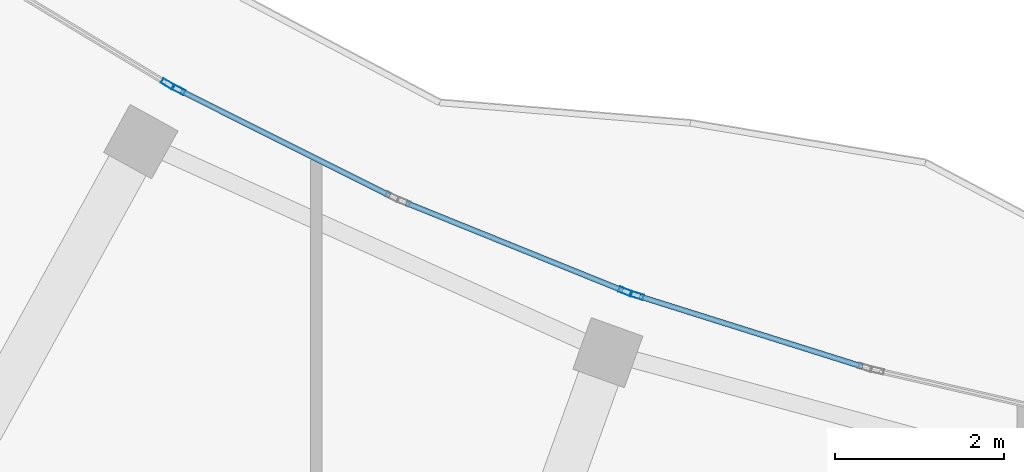
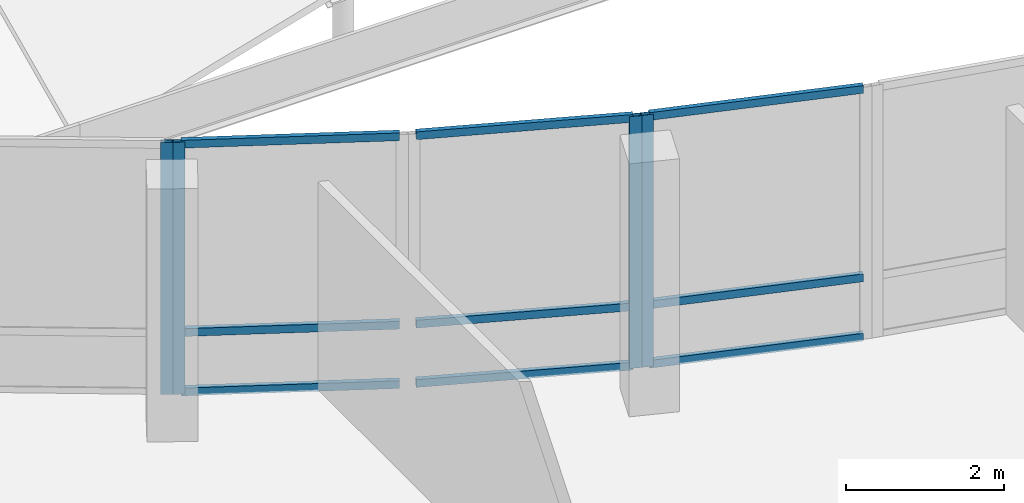
# One storey, part 28 of 184: 13 members, 4 elements without a shape of their own.
"""IFC4 building model written with IfcOpenShell, lengths in metres."""

from ifc_helpers import new_model, si_unit, direction, frame, origin, origin_2d, place, context, subcontext, project, spatial, hollow_rectangle, extrude, material, material_profile, profile_set, type_object, element, aggregate, save


model = new_model("IFC4")

# Units and contexts
model_context = context("Model", 3, precision=1e-05, world=origin(), true_north=direction((0.0, 1.0)))
body_context = subcontext(model_context, "Body", "Model", "MODEL_VIEW")
ifc_project = project(units=[si_unit("LENGTHUNIT", "METRE"), si_unit("AREAUNIT", "SQUARE_METRE"), si_unit("VOLUMEUNIT", "CUBIC_METRE"), si_unit("PLANEANGLEUNIT", "RADIAN"), si_unit("MASSUNIT", "GRAM", prefix="KILO")], contexts=[model_context])

# Site, building, storey
site_placement = place(None, origin())
site = spatial("IfcSite", under=ifc_project, at=site_placement, CompositionType="ELEMENT")
building_placement = place(site_placement, origin())
building = spatial("IfcBuilding", under=site, at=building_placement, Name="Selatvlak General Hospital", CompositionType="ELEMENT")
storey_placement = place(building_placement, frame((0.0, 0.0, 15.0)))
storey = spatial("IfcBuildingStorey", under=building, at=storey_placement, Name="L03", CompositionType="ELEMENT", Elevation=15.0)

# Curtain wall, member
ifc_material_1 = material(Name="Solar-control Low-E double glazing", Category="glass")
curtain_wall_type_1 = type_object("IfcCurtainWallType", Name="CW-CW-01", PredefinedType="USERDEFINED", material=ifc_material_1)
curtain_wall_1_placement = place(storey_placement, origin())
curtain_wall_1 = element("IfcCurtainWall", 1, at=curtain_wall_1_placement, inside=storey, type_object=curtain_wall_type_1, Name="Glazed facade curtain wall CW-L03-0443", ObjectType="UNITISED CURTAIN WALL", PredefinedType="USERDEFINED")
ifc_material_2 = material(Name="Dark anodised aluminium mullion", Category="aluminium")
ifc_material_profile_1 = material_profile(ifc_material_2, hollow_rectangle(XDim=0.06494140625, YDim=0.159912109375, WallThickness=0.00390625, at=origin_2d()), Name="AL-MUL 65x160x4")
ifc_profile_set_1 = profile_set([ifc_material_profile_1], Name="Dark anodised aluminium mullion")
member_type_1 = type_object("IfcMemberType", Name="CWM-01", PredefinedType="MULLION", material=ifc_profile_set_1)
member_1_placement = place(storey_placement, frame((37.840087890625, 46.69189453125, 0.0), z_axis=(0.0, 0.0, 1.0), x_axis=(0.517384094885, 0.85575329293, 0.0)))
member_1 = element("IfcMember", 2, at=member_1_placement, type_object=member_type_1, Name="CW-01 mullion 2", PredefinedType="MULLION", context=body_context, shape_type="SweptSolid", body=[
    extrude(hollow_rectangle(XDim=0.06494140625, YDim=0.159912109375, WallThickness=0.00390625, at=origin_2d()), origin(), (0.0, 0.0, 1.0), 3.89501953125),
])
aggregate(curtain_wall_1, [member_1])

curtain_wall_type_2 = type_object("IfcCurtainWallType", Name="CW-CW-02", PredefinedType="USERDEFINED", material=ifc_material_1)
curtain_wall_2_placement = place(storey_placement, origin())
curtain_wall_2 = element("IfcCurtainWall", 3, at=curtain_wall_2_placement, inside=storey, type_object=curtain_wall_type_2, Name="Glazed facade curtain wall CW-L03-0444", ObjectType="UNITISED CURTAIN WALL", PredefinedType="USERDEFINED")
member_2_placement = place(storey_placement, frame((37.968017578125, 46.62353515625, 0.0), z_axis=(0.0, 0.0, 1.0), x_axis=(0.447627060006, 0.894220339262, 0.0)))
member_2 = element("IfcMember", 4, at=member_2_placement, type_object=member_type_1, Name="CW-02 mullion 1", PredefinedType="MULLION", context=body_context, shape_type="SweptSolid", body=[
    extrude(hollow_rectangle(XDim=0.06494140625, YDim=0.159912109375, WallThickness=0.00390625, at=origin_2d()), origin(), (0.0, 0.0, 1.0), 3.89501953125),
])

curtain_wall_3_placement = place(storey_placement, origin())
curtain_wall_3 = element("IfcCurtainWall", 5, at=curtain_wall_3_placement, inside=storey, type_object=curtain_wall_type_1, Name="Glazed facade curtain wall CW-L03-0445", ObjectType="UNITISED CURTAIN WALL", PredefinedType="USERDEFINED")
member_3_placement = place(storey_placement, frame((43.266845703125, 44.231201171875, 0.0), z_axis=(0.0, 0.0, 1.0), x_axis=(0.374953034584, 0.927043807949, 0.0)))
member_3 = element("IfcMember", 6, at=member_3_placement, type_object=member_type_1, Name="CW-01 mullion 2", PredefinedType="MULLION", context=body_context, shape_type="SweptSolid", body=[
    extrude(hollow_rectangle(XDim=0.06494140625, YDim=0.159912109375, WallThickness=0.00390625, at=origin_2d()), origin(), (0.0, 0.0, 1.0), 3.89501953125),
])

curtain_wall_4_placement = place(storey_placement, origin())
curtain_wall_4 = element("IfcCurtainWall", 7, at=curtain_wall_4_placement, inside=storey, type_object=curtain_wall_type_2, Name="Glazed facade curtain wall CW-L03-0446", ObjectType="UNITISED CURTAIN WALL", PredefinedType="USERDEFINED")
member_4_placement = place(storey_placement, frame((43.404052734375, 44.183349609375, 0.0), z_axis=(0.0, 0.0, 1.0), x_axis=(0.300372930504, 0.953821840084, 0.0)))
member_4 = element("IfcMember", 8, at=member_4_placement, type_object=member_type_1, Name="CW-02 mullion 1", PredefinedType="MULLION", context=body_context, shape_type="SweptSolid", body=[
    extrude(hollow_rectangle(XDim=0.06494140625, YDim=0.159912109375, WallThickness=0.00390625, at=origin_2d()), origin(), (0.0, 0.0, 1.0), 3.89501953125),
])

# Member
ifc_material_profile_2 = material_profile(ifc_material_2, hollow_rectangle(XDim=0.06494140625, YDim=0.1201171875, WallThickness=0.00390625, at=origin_2d()), Name="AL-TRN 65x120x4")
ifc_profile_set_2 = profile_set([ifc_material_profile_2], Name="Dark anodised aluminium mullion")
member_type_2 = type_object("IfcMemberType", Name="CWT-01", PredefinedType="USERDEFINED", material=ifc_profile_set_2)
member_5_placement = place(storey_placement, frame((37.9970703125, 46.60888671875, 0.032470703125), z_axis=(0.894233340341, -0.447601086931, 0.0), x_axis=(0.447601086931, 0.894233340341, 0.0)))
member_5 = element("IfcMember", 9, at=member_5_placement, type_object=member_type_2, Name="CW-02 transom 1.1", ObjectType="TRANSOM", PredefinedType="USERDEFINED", context=body_context, shape_type="SweptSolid", body=[
    extrude(hollow_rectangle(XDim=0.06494140625, YDim=0.1201171875, WallThickness=0.00390625, at=origin_2d()), origin(), (0.0, 0.0, 1.0), 2.77197265625),
])

member_6_placement = place(storey_placement, frame((37.9970703125, 46.60888671875, 0.949951171875), z_axis=(0.894233340341, -0.447601086931, 0.0), x_axis=(0.447601086931, 0.894233340341, 0.0)))
member_6 = element("IfcMember", 10, at=member_6_placement, type_object=member_type_2, Name="CW-02 transom 1.2", ObjectType="TRANSOM", PredefinedType="USERDEFINED", context=body_context, shape_type="SweptSolid", body=[
    extrude(hollow_rectangle(XDim=0.06494140625, YDim=0.1201171875, WallThickness=0.00390625, at=origin_2d()), origin(), (0.0, 0.0, 1.0), 2.77197265625),
])

member_7_placement = place(storey_placement, frame((37.9970703125, 46.60888671875, 3.862548828125), z_axis=(0.894233340341, -0.447601086931, 0.0), x_axis=(0.447601086931, 0.894233340341, 0.0)))
member_7 = element("IfcMember", 11, at=member_7_placement, type_object=member_type_2, Name="CW-02 transom 1.3", ObjectType="TRANSOM", PredefinedType="USERDEFINED", context=body_context, shape_type="SweptSolid", body=[
    extrude(hollow_rectangle(XDim=0.06494140625, YDim=0.1201171875, WallThickness=0.00390625, at=origin_2d()), origin(), (0.0, 0.0, 1.0), 2.77197265625),
])

aggregate(curtain_wall_2, [member_2, member_5, member_6, member_7])

member_8_placement = place(storey_placement, frame((40.667236328125, 45.28271484375, 0.032470703125), z_axis=(0.927042328335, -0.3749566928, 0.0), x_axis=(0.3749566928, 0.927042328335, 0.0)))
member_8 = element("IfcMember", 12, at=member_8_placement, type_object=member_type_2, Name="CW-01 transom 1.1", ObjectType="TRANSOM", PredefinedType="USERDEFINED", context=body_context, shape_type="SweptSolid", body=[
    extrude(hollow_rectangle(XDim=0.06494140625, YDim=0.1201171875, WallThickness=0.00390625, at=origin_2d()), origin(), (0.0, 0.0, 1.0), 2.771728515625),
])

member_9_placement = place(storey_placement, frame((40.667236328125, 45.28271484375, 0.949951171875), z_axis=(0.927042328335, -0.3749566928, 0.0), x_axis=(0.3749566928, 0.927042328335, 0.0)))
member_9 = element("IfcMember", 13, at=member_9_placement, type_object=member_type_2, Name="CW-01 transom 1.2", ObjectType="TRANSOM", PredefinedType="USERDEFINED", context=body_context, shape_type="SweptSolid", body=[
    extrude(hollow_rectangle(XDim=0.06494140625, YDim=0.1201171875, WallThickness=0.00390625, at=origin_2d()), origin(), (0.0, 0.0, 1.0), 2.771728515625),
])

member_10_placement = place(storey_placement, frame((40.667236328125, 45.28271484375, 3.862548828125), z_axis=(0.927042328335, -0.3749566928, 0.0), x_axis=(0.3749566928, 0.927042328335, 0.0)))
member_10 = element("IfcMember", 14, at=member_10_placement, type_object=member_type_2, Name="CW-01 transom 1.3", ObjectType="TRANSOM", PredefinedType="USERDEFINED", context=body_context, shape_type="SweptSolid", body=[
    extrude(hollow_rectangle(XDim=0.06494140625, YDim=0.1201171875, WallThickness=0.00390625, at=origin_2d()), origin(), (0.0, 0.0, 1.0), 2.771728515625),
])

aggregate(curtain_wall_3, [member_3, member_8, member_9, member_10])

member_11_placement = place(storey_placement, frame((43.43505859375, 44.173583984375, 0.032470703125), z_axis=(0.953816556591, -0.300389707503, 0.0), x_axis=(0.300389707503, 0.953816556591, 0.0)))
member_11 = element("IfcMember", 15, at=member_11_placement, type_object=member_type_2, Name="CW-02 transom 1.1", ObjectType="TRANSOM", PredefinedType="USERDEFINED", context=body_context, shape_type="SweptSolid", body=[
    extrude(hollow_rectangle(XDim=0.06494140625, YDim=0.1201171875, WallThickness=0.00390625, at=origin_2d()), origin(), (0.0, 0.0, 1.0), 2.773193359375),
])

member_12_placement = place(storey_placement, frame((43.43505859375, 44.173583984375, 0.949951171875), z_axis=(0.953816556591, -0.300389707503, 0.0), x_axis=(0.300389707503, 0.953816556591, 0.0)))
member_12 = element("IfcMember", 16, at=member_12_placement, type_object=member_type_2, Name="CW-02 transom 1.2", ObjectType="TRANSOM", PredefinedType="USERDEFINED", context=body_context, shape_type="SweptSolid", body=[
    extrude(hollow_rectangle(XDim=0.06494140625, YDim=0.1201171875, WallThickness=0.00390625, at=origin_2d()), origin(), (0.0, 0.0, 1.0), 2.773193359375),
])

member_13_placement = place(storey_placement, frame((43.43505859375, 44.173583984375, 3.862548828125), z_axis=(0.953816556591, -0.300389707503, 0.0), x_axis=(0.300389707503, 0.953816556591, 0.0)))
member_13 = element("IfcMember", 17, at=member_13_placement, type_object=member_type_2, Name="CW-02 transom 1.3", ObjectType="TRANSOM", PredefinedType="USERDEFINED", context=body_context, shape_type="SweptSolid", body=[
    extrude(hollow_rectangle(XDim=0.06494140625, YDim=0.1201171875, WallThickness=0.00390625, at=origin_2d()), origin(), (0.0, 0.0, 1.0), 2.773193359375),
])

aggregate(curtain_wall_4, [member_4, member_11, member_12, member_13])

save(model, "model.ifc")
